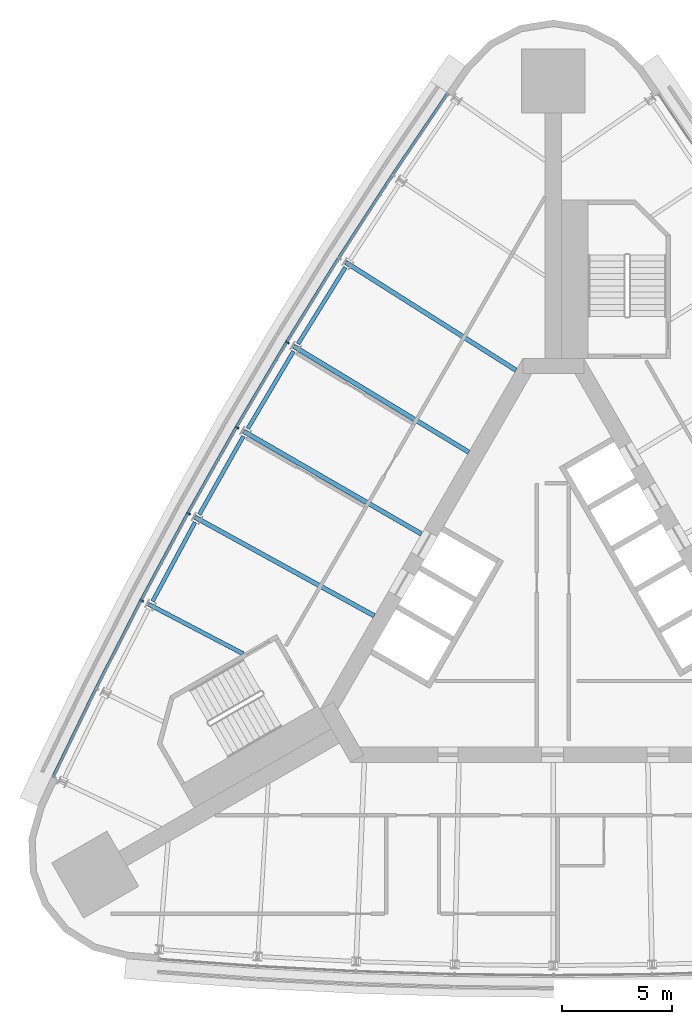
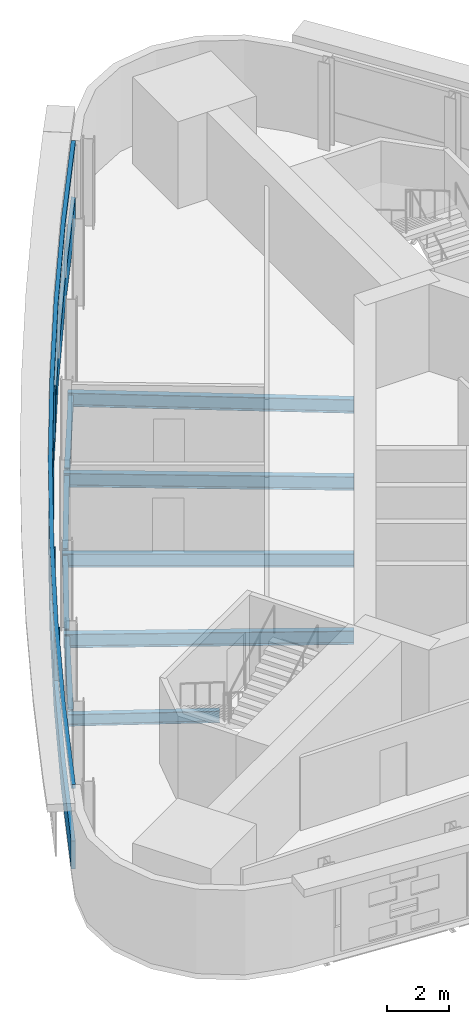
# One storey, part 4 of 13: 9 beams, 6 members, 1 element without a shape of its own.
"""IFC4 building model written with IfcOpenShell, lengths in metres."""

from ifc_helpers import new_model, si_unit, direction, frame, origin, origin_2d, place, context, subcontext, project, spatial, polyline, rectangle, i_section, outline, extrude, material, material_profile, profile_set, type_object, element, aggregate, save


model = new_model("IFC4")

# Units and contexts
model_context = context("Model", 3, precision=1e-05, world=origin(), true_north=direction((0.0, 1.0)))
body_context = subcontext(model_context, "Body", "Model", "MODEL_VIEW")
ifc_project = project(units=[si_unit("LENGTHUNIT", "METRE"), si_unit("AREAUNIT", "SQUARE_METRE"), si_unit("VOLUMEUNIT", "CUBIC_METRE"), si_unit("PLANEANGLEUNIT", "RADIAN"), si_unit("MASSUNIT", "GRAM", prefix="KILO")], contexts=[model_context])

# Site, building, storey
site_placement = place(None, origin())
site = spatial("IfcSite", under=ifc_project, at=site_placement, CompositionType="ELEMENT")
building_placement = place(site_placement, origin())
building = spatial("IfcBuilding", under=site, at=building_placement, Name="Noor Cloister Tower", CompositionType="ELEMENT")
storey_placement = place(building_placement, frame((0.0, 0.0, 143.699951171875)))
storey = spatial("IfcBuildingStorey", under=building, at=storey_placement, Name="L36", CompositionType="ELEMENT", Elevation=143.699951171875)

# Curtain wall, members
ifc_material_1 = material(Name="Aluminium 6063-T6 anodised", Category="aluminium")
curtain_wall_type = type_object("IfcCurtainWallType", Name="Ribbon curtain wall, upper tower CW5", PredefinedType="NOTDEFINED", material=ifc_material_1)
curtain_wall_placement = place(storey_placement, origin())
curtain_wall = element("IfcCurtainWall", 1, at=curtain_wall_placement, inside=storey, type_object=curtain_wall_type, Name="CW5 L36 NW run 1", PredefinedType="NOTDEFINED")
ifc_material_2 = material(Name="Aluminium 6063-T6 anodised", Category="aluminium")
member_type_1 = type_object("IfcMemberType", Name="Head transom CW5 150", PredefinedType="USERDEFINED", material=ifc_material_2)
member_1_placement = place(storey_placement, frame((0.0, 0.0, 3.150146484375)))
member_1 = element("IfcMember", 2, at=member_1_placement, type_object=member_type_1, Name="CW5 head transom", ObjectType="TRANSOM", PredefinedType="USERDEFINED", context=body_context, shape_type="SweptSolid", body=[
    extrude(outline(polyline([(-4.853271484375, 23.5634765625), (-7.376953125, 19.837646484375), (-9.823486328125, 16.06103515625), (-12.1923828125, 12.235107421875), (-14.482177734375, 8.361328125), (-16.69189453125, 4.44140625), (-18.821044921875, 0.47705078125), (-20.868408203125, -3.5302734375), (-22.833251953125, -7.57861328125), (-22.707275390625, -7.6396484375), (-20.7431640625, -3.5927734375), (-18.697021484375, 0.411865234375), (-16.5693359375, 4.373779296875), (-14.36083984375, 8.291259765625), (-12.072509765625, 12.16259765625), (-9.705322265625, 15.986083984375), (-7.26025390625, 19.76025390625), (-4.7373046875, 23.48486328125), (-4.853271484375, 23.5634765625)])), origin(), (0.0, 0.0, 1.0), 0.14990234375),
])
ifc_material_3 = material(Name="Aluminium 6063-T6 anodised", Category="aluminium")
ifc_material_profile_1 = material_profile(ifc_material_3, rectangle(XDim=0.179931640625, YDim=0.070068359375, at=origin_2d()), Name="180 x 70 mullion")
ifc_profile_set_1 = profile_set([ifc_material_profile_1], Name="Aluminium 6063-T6 anodised")
member_type_2 = type_object("IfcMemberType", Name="Mullion CW5 70 x 180", PredefinedType="MULLION", material=ifc_profile_set_1)
member_2_placement = place(storey_placement, frame((-12.106689453125, 12.183349609375, 1.10009765625), z_axis=(0.0, 0.0, 1.0), x_axis=(0.855592397057, -0.517650123248, 0.0)))
member_2 = element("IfcMember", 3, at=member_2_placement, type_object=member_type_2, Name="CW5 mullion 4", PredefinedType="MULLION", context=body_context, shape_type="SweptSolid", body=[
    extrude(rectangle(XDim=0.179931640625, YDim=0.070068359375, at=origin_2d()), origin(), (0.0, 0.0, 1.0), 2.050048828125),
])
member_3_placement = place(storey_placement, frame((-14.3955078125, 8.311279296875, 1.10009765625), z_axis=(0.0, 0.0, 1.0), x_axis=(0.866025403784, -0.5, 0.0)))
member_3 = element("IfcMember", 4, at=member_3_placement, type_object=member_type_2, Name="CW5 mullion 5", PredefinedType="MULLION", context=body_context, shape_type="SweptSolid", body=[
    extrude(rectangle(XDim=0.179931640625, YDim=0.070068359375, at=origin_2d()), origin(), (0.0, 0.0, 1.0), 2.050048828125),
])
member_4_placement = place(storey_placement, frame((-16.6044921875, 4.39306640625, 1.10009765625), z_axis=(0.0, 0.0, 1.0), x_axis=(0.876094355533, -0.482139689512, 0.0)))
member_4 = element("IfcMember", 5, at=member_4_placement, type_object=member_type_2, Name="CW5 mullion 6", PredefinedType="MULLION", context=body_context, shape_type="SweptSolid", body=[
    extrude(rectangle(XDim=0.179931640625, YDim=0.070068359375, at=origin_2d()), origin(), (0.0, 0.0, 1.0), 2.050048828125),
])
member_5_placement = place(storey_placement, frame((-18.732421875, 0.4306640625, 1.10009765625), z_axis=(0.0, 0.0, 1.0), x_axis=(0.885795011473, -0.464076715262, 0.0)))
member_5 = element("IfcMember", 6, at=member_5_placement, type_object=member_type_2, Name="CW5 mullion 7", PredefinedType="MULLION", context=body_context, shape_type="SweptSolid", body=[
    extrude(rectangle(XDim=0.179931640625, YDim=0.070068359375, at=origin_2d()), origin(), (0.0, 0.0, 1.0), 2.050048828125),
])

# Beams
ifc_material_4 = material(Name="Steel ASTM A992 Gr 50", Category="steel")
ifc_material_profile_2 = material_profile(ifc_material_4, i_section(OverallWidth=0.19091796875, OverallDepth=0.45703125, WebThickness=0.009033203125, FlangeThickness=0.014404296875, FilletRadius=0.01025390625, at=origin_2d()), Name="W460x74")
ifc_profile_set_2 = profile_set([ifc_material_profile_2], Name="Steel ASTM A992 Gr 50")
beam_type_1 = type_object("IfcBeamType", Name="Radial beam W460x74", PredefinedType="BEAM", material=ifc_profile_set_2)
beam_1_placement = place(storey_placement, frame((-18.4287109375, 0.271484375, -0.428466796875), z_axis=(0.885783447406, -0.464098787222, 0.0), x_axis=(0.464098787222, 0.885783447406, 0.0)))
element("IfcBeam", 7, at=beam_1_placement, inside=storey, type_object=beam_type_1, Name="Radial beam NW 07 L36", PredefinedType="BEAM", context=body_context, shape_type="SweptSolid", body=[
    extrude(i_section(OverallWidth=0.19091796875, OverallDepth=0.45703125, WebThickness=0.009033203125, FlangeThickness=0.014404296875, FilletRadius=0.01025390625, at=origin_2d()), origin(), (0.0, 0.0, 1.0), 4.86962890625),
])
ifc_material_5 = material(Name="Steel ASTM A992 Gr 50", Category="steel")
ifc_material_profile_3 = material_profile(ifc_material_5, i_section(OverallWidth=0.208984375, OverallDepth=0.532958984375, WebThickness=0.01025390625, FlangeThickness=0.015625, FilletRadius=0.0126953125, at=origin_2d()), Name="W530x92")
ifc_profile_set_3 = profile_set([ifc_material_profile_3], Name="Steel ASTM A992 Gr 50")
beam_type_2 = type_object("IfcBeamType", Name="Radial beam W530x92", PredefinedType="BEAM", material=ifc_profile_set_3)
beam_2_placement = place(storey_placement, frame((-9.449462890625, 15.823974609375, -0.466552734375), z_axis=(0.84480784903, -0.535069806863, 0.0), x_axis=(0.535069806863, 0.84480784903, 0.0)))
element("IfcBeam", 8, at=beam_2_placement, inside=storey, type_object=beam_type_2, Name="Radial beam NW 03 L36", PredefinedType="BEAM", context=body_context, shape_type="SweptSolid", body=[
    extrude(i_section(OverallWidth=0.208984375, OverallDepth=0.532958984375, WebThickness=0.01025390625, FlangeThickness=0.015625, FilletRadius=0.0126953125, at=origin_2d()), origin(), (0.0, 0.0, 1.0), 9.1748046875),
])
beam_3_placement = place(storey_placement, frame((-11.813232421875, 12.005615234375, -0.466552734375), z_axis=(0.855591496874, -0.517651611102, 0.0), x_axis=(0.517651611102, 0.855591496874, 0.0)))
element("IfcBeam", 9, at=beam_3_placement, inside=storey, type_object=beam_type_2, Name="Radial beam NW 04 L36", PredefinedType="BEAM", context=body_context, shape_type="SweptSolid", body=[
    extrude(i_section(OverallWidth=0.208984375, OverallDepth=0.532958984375, WebThickness=0.01025390625, FlangeThickness=0.015625, FilletRadius=0.0126953125, at=origin_2d()), origin(), (0.0, 0.0, 1.0), 9.30712890625),
])
beam_4_placement = place(storey_placement, frame((-14.098388671875, 8.1396484375, -0.466552734375), z_axis=(0.866028634529, -0.499994404144, 0.0), x_axis=(0.499994404144, 0.866028634529, 0.0)))
element("IfcBeam", 10, at=beam_4_placement, inside=storey, type_object=beam_type_2, Name="Radial beam NW 05 L36", PredefinedType="BEAM", context=body_context, shape_type="SweptSolid", body=[
    extrude(i_section(OverallWidth=0.208984375, OverallDepth=0.532958984375, WebThickness=0.01025390625, FlangeThickness=0.015625, FilletRadius=0.0126953125, at=origin_2d()), origin(), (0.0, 0.0, 1.0), 9.35107421875),
])
beam_5_placement = place(storey_placement, frame((-16.303955078125, 4.227783203125, -0.466552734375), z_axis=(0.876099025266, -0.48213120406, 0.0), x_axis=(0.48213120406, 0.876099025266, 0.0)))
element("IfcBeam", 11, at=beam_5_placement, inside=storey, type_object=beam_type_2, Name="Radial beam NW 06 L36", PredefinedType="BEAM", context=body_context, shape_type="SweptSolid", body=[
    extrude(i_section(OverallWidth=0.208984375, OverallDepth=0.532958984375, WebThickness=0.01025390625, FlangeThickness=0.015625, FilletRadius=0.0126953125, at=origin_2d()), origin(), (0.0, 0.0, 1.0), 9.30712890625),
])

# Member
ifc_material_6 = material(Name="Aluminium 6063-T6 anodised", Category="aluminium")
member_type_3 = type_object("IfcMemberType", Name="Sill transom CW5 1100", PredefinedType="USERDEFINED", material=ifc_material_6)
member_6_placement = place(storey_placement, origin())
member_6 = element("IfcMember", 12, at=member_6_placement, type_object=member_type_3, Name="CW5 sill transom", ObjectType="TRANSOM", PredefinedType="USERDEFINED", context=body_context, shape_type="SweptSolid", body=[
    extrude(outline(polyline([(-4.853271484375, 23.5634765625), (-7.376953125, 19.837646484375), (-9.823486328125, 16.06103515625), (-12.1923828125, 12.235107421875), (-14.482177734375, 8.361328125), (-16.69189453125, 4.44140625), (-18.821044921875, 0.47705078125), (-20.868408203125, -3.5302734375), (-22.833251953125, -7.57861328125), (-22.707275390625, -7.6396484375), (-20.7431640625, -3.5927734375), (-18.697021484375, 0.411865234375), (-16.5693359375, 4.373779296875), (-14.36083984375, 8.291259765625), (-12.072509765625, 12.16259765625), (-9.705322265625, 15.986083984375), (-7.26025390625, 19.76025390625), (-4.7373046875, 23.48486328125), (-4.853271484375, 23.5634765625)])), origin(), (0.0, 0.0, 1.0), 1.10009765625),
])

aggregate(curtain_wall, [member_2, member_3, member_4, member_5, member_6, member_1])

# Beams
ifc_material_7 = material(Name="Steel ASTM A992 Gr 50", Category="steel")
ifc_material_profile_4 = material_profile(ifc_material_7, i_section(OverallWidth=0.177978515625, OverallDepth=0.406005859375, WebThickness=0.0078125, FlangeThickness=0.0126953125, FilletRadius=0.01025390625, at=origin_2d()), Name="W410x60")
ifc_profile_set_4 = profile_set([ifc_material_profile_4], Name="Steel ASTM A992 Gr 50")
beam_type_3 = type_object("IfcBeamType", Name="Spandrel beam W410x60", PredefinedType="SPANDREL", material=ifc_profile_set_4)
beam_6_placement = place(storey_placement, frame((-9.4638671875, 15.59716796875, -0.40283203125), z_axis=(-0.526393660697, -0.850240974065, 0.0), x_axis=(0.850240974065, -0.526393660697, 0.0)))
element("IfcBeam", 13, at=beam_6_placement, inside=storey, type_object=beam_type_3, Name="Spandrel beam NW 03 L36", PredefinedType="SPANDREL", context=body_context, shape_type="SweptSolid", body=[
    extrude(i_section(OverallWidth=0.177978515625, OverallDepth=0.406005859375, WebThickness=0.0078125, FlangeThickness=0.0126953125, FilletRadius=0.01025390625, at=origin_2d()), origin(), (0.0, 0.0, 1.0), 4.08984375),
])
for number, where, z_axis, x_axis, name in (
    (14, (-11.8232421875, 11.778564453125, -0.40283203125), (-0.508866071809, -0.860845701018, 0.0), (0.860845701018, -0.508866071809, 0.0), "Spandrel beam NW 04 L36"),
    (15, (-14.103759765625, 7.912353515625, -0.40283203125), (-0.491122612788, -0.871090454091, 0.0), (0.871090454091, -0.491122612788, 0.0), "Spandrel beam NW 05 L36"),
):
    element("IfcBeam", number, at=place(storey_placement, frame(where, z_axis=z_axis, x_axis=x_axis)), inside=storey, type_object=beam_type_3, Name=name, PredefinedType="SPANDREL", context=body_context, shape_type="SweptSolid", body=[
        extrude(i_section(OverallWidth=0.177978515625, OverallDepth=0.406005859375, WebThickness=0.0078125, FlangeThickness=0.0126953125, FilletRadius=0.01025390625, at=origin_2d()), origin(), (0.0, 0.0, 1.0), 4.089599609375),
    ])
beam_7_placement = place(storey_placement, frame((-16.304443359375, 4.00048828125, -0.40283203125), z_axis=(-0.473145514106, -0.880984291847, 0.0), x_axis=(0.880984291847, -0.473145514106, 0.0)))
element("IfcBeam", 16, at=beam_7_placement, inside=storey, type_object=beam_type_3, Name="Spandrel beam NW 06 L36", PredefinedType="SPANDREL", context=body_context, shape_type="SweptSolid", body=[
    extrude(i_section(OverallWidth=0.177978515625, OverallDepth=0.406005859375, WebThickness=0.0078125, FlangeThickness=0.0126953125, FilletRadius=0.01025390625, at=origin_2d()), origin(), (0.0, 0.0, 1.0), 4.08984375),
])

save(model, "model.ifc")
